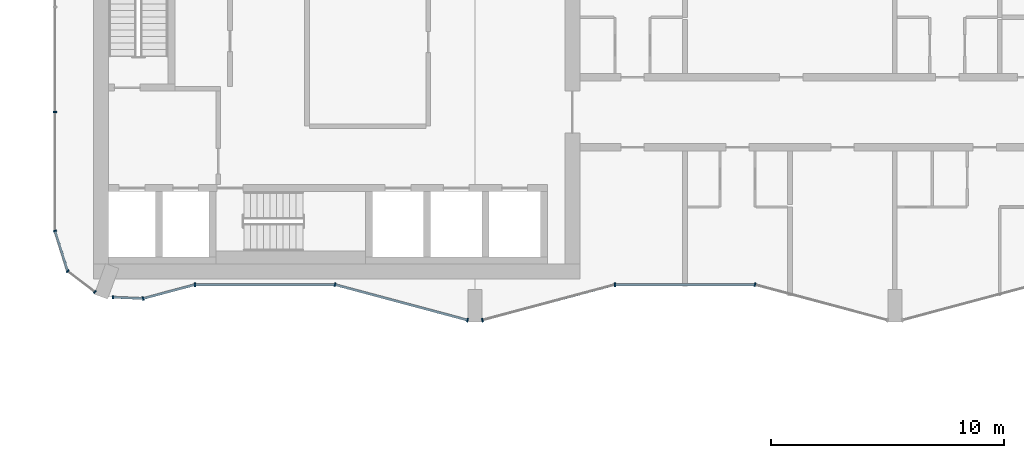
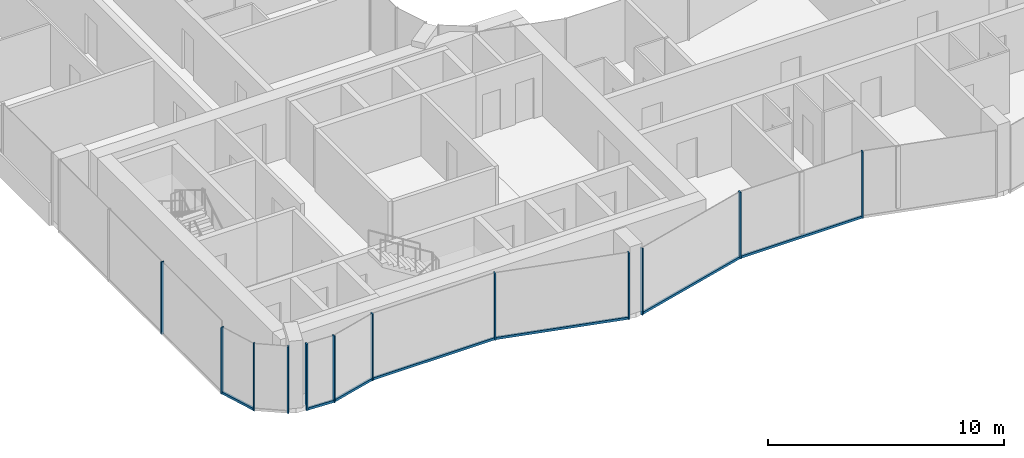
# One storey, part 2 of 19: 19 members, 10 elements without a shape of their own.
"""IFC4 building model written with IfcOpenShell, lengths in metres."""

from ifc_helpers import new_model, si_unit, direction, frame, origin, origin_2d, place, context, subcontext, project, spatial, rectangle, extrude, material, layer, layer_set, material_profile, profile_set, type_object, element, aggregate, save


model = new_model("IFC4")

# Units and contexts
model_context = context("Model", 3, precision=1e-05, world=origin(), true_north=direction((0.0, 1.0)))
body_context = subcontext(model_context, "Body", "Model", "MODEL_VIEW")
ifc_project = project(units=[si_unit("LENGTHUNIT", "METRE"), si_unit("AREAUNIT", "SQUARE_METRE"), si_unit("VOLUMEUNIT", "CUBIC_METRE"), si_unit("PLANEANGLEUNIT", "RADIAN"), si_unit("MASSUNIT", "GRAM", prefix="KILO")], contexts=[model_context])

# Site, building, storey
site_placement = place(None, origin())
site = spatial("IfcSite", under=ifc_project, at=site_placement, CompositionType="ELEMENT")
building_placement = place(site_placement, origin())
building = spatial("IfcBuilding", under=site, at=building_placement, Name="Plateau Cross Towers", CompositionType="ELEMENT")
storey_placement = place(building_placement, frame((0.0, 0.0, 120.300048828125)))
storey = spatial("IfcBuildingStorey", under=building, at=storey_placement, Name="L31", CompositionType="ELEMENT", Elevation=120.300048828125)

# Curtain wall, member
ifc_material_1 = material(Name="Dark low-iron glass", Category="glass")
ifc_layer_1 = layer(ifc_material_1, 0.239990234375)
ifc_layer_set_1 = layer_set([ifc_layer_1], Name="Dark low-iron glass")
curtain_wall_type_1 = type_object("IfcCurtainWallType", Name="Curtain wall flush unitised CW-B", PredefinedType="NOTDEFINED", material=ifc_layer_set_1)
curtain_wall_1_placement = place(storey_placement, origin())
curtain_wall_1 = element("IfcCurtainWall", 1, at=curtain_wall_1_placement, inside=storey, type_object=curtain_wall_type_1, Name="ENV/A/L31/A0_177", PredefinedType="NOTDEFINED")
ifc_material_2 = material(Name="Black anodised aluminium", Category="aluminium")
ifc_material_profile_1 = material_profile(ifc_material_2, rectangle(XDim=0.06005859375, YDim=0.139892578125, at=origin_2d()), Name="MULLION 60x140")
ifc_profile_set_1 = profile_set([ifc_material_profile_1], Name="Black anodised aluminium")
member_type_1 = type_object("IfcMemberType", Name="Mullion 60x140 flush unitised", PredefinedType="MULLION", material=ifc_profile_set_1)
member_1_placement = place(storey_placement, frame((0.0, 9.0, -0.25), z_axis=(0.0, 0.0, 1.0), x_axis=(0.0, -1.0, 0.0)))
member_1 = element("IfcMember", 2, at=member_1_placement, type_object=member_type_1, Name="CW-B mullion 3", PredefinedType="MULLION", context=body_context, shape_type="SweptSolid", body=[
    extrude(rectangle(XDim=0.06005859375, YDim=0.139892578125, at=origin_2d()), origin(), (0.0, 0.0, 1.0), 3.75),
])
aggregate(curtain_wall_1, [member_1])

curtain_wall_2_placement = place(storey_placement, origin())
curtain_wall_2 = element("IfcCurtainWall", 3, at=curtain_wall_2_placement, inside=storey, type_object=curtain_wall_type_1, Name="ENV/A/L31/A0_39", PredefinedType="NOTDEFINED")
member_2_placement = place(storey_placement, frame((0.0, 3.9091796875, -0.25), z_axis=(0.0, 0.0, 1.0), x_axis=(0.300686174994, -0.95372313811, 0.0)))
member_2 = element("IfcMember", 4, at=member_2_placement, type_object=member_type_1, Name="CW-B mullion 1", PredefinedType="MULLION", context=body_context, shape_type="SweptSolid", body=[
    extrude(rectangle(XDim=0.06005859375, YDim=0.139892578125, at=origin_2d()), origin(), (0.0, 0.0, 1.0), 3.449951171875),
])

# Curtain wall, members
curtain_wall_3_placement = place(storey_placement, origin())
curtain_wall_3 = element("IfcCurtainWall", 5, at=curtain_wall_3_placement, inside=storey, type_object=curtain_wall_type_1, Name="ENV/A/L31/A5_22", PredefinedType="NOTDEFINED")
member_3_placement = place(storey_placement, frame((0.54248046875, 2.1884765625, -0.25), z_axis=(0.0, 0.0, 1.0), x_axis=(0.793315514529, -0.608810721331, 0.0)))
member_3 = element("IfcMember", 6, at=member_3_placement, type_object=member_type_1, Name="CW-B mullion 1", PredefinedType="MULLION", context=body_context, shape_type="SweptSolid", body=[
    extrude(rectangle(XDim=0.06005859375, YDim=0.139892578125, at=origin_2d()), origin(), (0.0, 0.0, 1.0), 3.449951171875),
])
member_4_placement = place(storey_placement, frame((1.709716796875, 1.292724609375, -0.25), z_axis=(0.0, 0.0, 1.0), x_axis=(0.793315514529, -0.608810721331, 0.0)))
member_4 = element("IfcMember", 7, at=member_4_placement, type_object=member_type_1, Name="CW-B mullion 2", PredefinedType="MULLION", context=body_context, shape_type="SweptSolid", body=[
    extrude(rectangle(XDim=0.06005859375, YDim=0.139892578125, at=origin_2d()), origin(), (0.0, 0.0, 1.0), 3.449951171875),
])
aggregate(curtain_wall_3, [member_3, member_4])

# Curtain wall, member
curtain_wall_4_placement = place(storey_placement, origin())
curtain_wall_4 = element("IfcCurtainWall", 8, at=curtain_wall_4_placement, inside=storey, type_object=curtain_wall_type_1, Name="ENV/A/L31/A25_11", PredefinedType="NOTDEFINED")
member_5_placement = place(storey_placement, frame((2.483642578125, 1.06787109375, -0.25), z_axis=(0.0, 0.0, 1.0), x_axis=(0.999043701491, -0.043722791671, 0.0)))
member_5 = element("IfcMember", 9, at=member_5_placement, type_object=member_type_1, Name="CW-B mullion 1", PredefinedType="MULLION", context=body_context, shape_type="SweptSolid", body=[
    extrude(rectangle(XDim=0.06005859375, YDim=0.139892578125, at=origin_2d()), origin(), (0.0, 0.0, 1.0), 3.449951171875),
])

ifc_layer_2 = layer(ifc_material_1, 0.260009765625)
ifc_layer_set_2 = layer_set([ifc_layer_2], Name="Dark low-iron glass")
curtain_wall_type_2 = type_object("IfcCurtainWallType", Name="Curtain wall fluted unitised CW-A", PredefinedType="NOTDEFINED", material=ifc_layer_set_2)
curtain_wall_5_placement = place(storey_placement, origin())
curtain_wall_5 = element("IfcCurtainWall", 10, at=curtain_wall_5_placement, inside=storey, type_object=curtain_wall_type_2, Name="ENV/A/L31/A38_10", PredefinedType="NOTDEFINED")
ifc_material_profile_2 = material_profile(ifc_material_2, rectangle(XDim=0.06005859375, YDim=0.159912109375, at=origin_2d()), Name="MULLION 60x160")
ifc_profile_set_2 = profile_set([ifc_material_profile_2], Name="Black anodised aluminium")
member_type_2 = type_object("IfcMemberType", Name="Mullion 60x160 fluted unitised", PredefinedType="MULLION", material=ifc_profile_set_2)
member_6_placement = place(storey_placement, frame((3.776123046875, 1.01123046875, -0.25), z_axis=(0.0, 0.0, 1.0), x_axis=(0.965957962328, 0.258699081978, 0.0)))
member_6 = element("IfcMember", 11, at=member_6_placement, type_object=member_type_2, Name="CW-A mullion 1", PredefinedType="MULLION", context=body_context, shape_type="SweptSolid", body=[
    extrude(rectangle(XDim=0.06005859375, YDim=0.159912109375, at=origin_2d()), origin(), (0.0, 0.0, 1.0), 3.449951171875),
])

curtain_wall_6_placement = place(storey_placement, origin())
curtain_wall_6 = element("IfcCurtainWall", 12, at=curtain_wall_6_placement, inside=storey, type_object=curtain_wall_type_2, Name="ENV/A/L31/A60_16", PredefinedType="NOTDEFINED")
member_7_placement = place(storey_placement, frame((6.0, 1.60693359375, -0.25), z_axis=(0.0, 0.0, 1.0), x_axis=(1.0, 0.0, 0.0)))
member_7 = element("IfcMember", 13, at=member_7_placement, type_object=member_type_2, Name="CW-A mullion 1", PredefinedType="MULLION", context=body_context, shape_type="SweptSolid", body=[
    extrude(rectangle(XDim=0.06005859375, YDim=0.159912109375, at=origin_2d()), origin(), (0.0, 0.0, 1.0), 3.449951171875),
])

# Curtain wall, members
curtain_wall_7_placement = place(storey_placement, origin())
curtain_wall_7 = element("IfcCurtainWall", 14, at=curtain_wall_7_placement, inside=storey, type_object=curtain_wall_type_2, Name="ENV/A/L31/A120_16", PredefinedType="NOTDEFINED")
member_8_placement = place(storey_placement, frame((12.0, 1.60693359375, -0.25), z_axis=(0.0, 0.0, 1.0), x_axis=(0.965957983404, -0.258699003279, 0.0)))
member_8 = element("IfcMember", 15, at=member_8_placement, type_object=member_type_2, Name="CW-A mullion 1", PredefinedType="MULLION", context=body_context, shape_type="SweptSolid", body=[
    extrude(rectangle(XDim=0.06005859375, YDim=0.159912109375, at=origin_2d()), origin(), (0.0, 0.0, 1.0), 3.449951171875),
])
member_9_placement = place(storey_placement, frame((17.68212890625, 0.085205078125, -0.25), z_axis=(0.0, 0.0, 1.0), x_axis=(0.965957983404, -0.258699003279, 0.0)))
member_9 = element("IfcMember", 16, at=member_9_placement, type_object=member_type_2, Name="CW-A mullion 2", PredefinedType="MULLION", context=body_context, shape_type="SweptSolid", body=[
    extrude(rectangle(XDim=0.06005859375, YDim=0.159912109375, at=origin_2d()), origin(), (0.0, 0.0, 1.0), 3.449951171875),
])

# Curtain wall, member
curtain_wall_8_placement = place(storey_placement, origin())
curtain_wall_8 = element("IfcCurtainWall", 17, at=curtain_wall_8_placement, inside=storey, type_object=curtain_wall_type_2, Name="ENV/A/L31/A183_1", PredefinedType="NOTDEFINED")
member_10_placement = place(storey_placement, frame((18.31787109375, 0.085205078125, -0.25), z_axis=(0.0, 0.0, 1.0), x_axis=(0.965957983404, 0.258699003279, 0.0)))
member_10 = element("IfcMember", 18, at=member_10_placement, type_object=member_type_2, Name="CW-A mullion 1", PredefinedType="MULLION", context=body_context, shape_type="SweptSolid", body=[
    extrude(rectangle(XDim=0.06005859375, YDim=0.159912109375, at=origin_2d()), origin(), (0.0, 0.0, 1.0), 3.449951171875),
])

curtain_wall_9_placement = place(storey_placement, origin())
curtain_wall_9 = element("IfcCurtainWall", 19, at=curtain_wall_9_placement, inside=storey, type_object=curtain_wall_type_2, Name="ENV/A/L31/A240_16", PredefinedType="NOTDEFINED")
member_11_placement = place(storey_placement, frame((24.0, 1.60693359375, -0.25), z_axis=(0.0, 0.0, 1.0), x_axis=(1.0, 0.0, 0.0)))
member_11 = element("IfcMember", 20, at=member_11_placement, type_object=member_type_2, Name="CW-A mullion 1", PredefinedType="MULLION", context=body_context, shape_type="SweptSolid", body=[
    extrude(rectangle(XDim=0.06005859375, YDim=0.159912109375, at=origin_2d()), origin(), (0.0, 0.0, 1.0), 3.449951171875),
])

curtain_wall_10_placement = place(storey_placement, origin())
curtain_wall_10 = element("IfcCurtainWall", 21, at=curtain_wall_10_placement, inside=storey, type_object=curtain_wall_type_2, Name="ENV/A/L31/A300_16", PredefinedType="NOTDEFINED")
member_12_placement = place(storey_placement, frame((30.0, 1.60693359375, -0.25), z_axis=(0.0, 0.0, 1.0), x_axis=(0.965957983404, -0.258699003279, 0.0)))
member_12 = element("IfcMember", 22, at=member_12_placement, type_object=member_type_2, Name="CW-A mullion 1", PredefinedType="MULLION", context=body_context, shape_type="SweptSolid", body=[
    extrude(rectangle(XDim=0.06005859375, YDim=0.159912109375, at=origin_2d()), origin(), (0.0, 0.0, 1.0), 3.449951171875),
])
aggregate(curtain_wall_10, [member_12])

# Member
ifc_material_profile_3 = material_profile(ifc_material_2, rectangle(XDim=0.10009765625, YDim=0.1201171875, at=origin_2d()), Name="TRANSOM 100x120")
ifc_profile_set_3 = profile_set([ifc_material_profile_3], Name="Black anodised aluminium")
member_type_3 = type_object("IfcMemberType", Name="Transom 100x120 flush unitised", PredefinedType="USERDEFINED", material=ifc_profile_set_3)
member_13_placement = place(storey_placement, frame((0.0, 3.9091796875, -0.18994140625), z_axis=(0.30067799945, -0.953725715626, 0.0), x_axis=(0.953725715626, 0.30067799945, 0.0)))
member_13 = element("IfcMember", 23, at=member_13_placement, type_object=member_type_3, Name="CW-B transom", ObjectType="TRANSOM", PredefinedType="USERDEFINED", context=body_context, shape_type="SweptSolid", body=[
    extrude(rectangle(XDim=0.10009765625, YDim=0.1201171875, at=origin_2d()), origin(), (0.0, 0.0, 1.0), 1.80419921875),
])

aggregate(curtain_wall_2, [member_2, member_13])

member_14_placement = place(storey_placement, frame((2.483642578125, 1.06787109375, -0.18994140625), z_axis=(0.999041144614, -0.043781175963, 0.0), x_axis=(0.043781175963, 0.999041144614, 0.0)))
member_14 = element("IfcMember", 24, at=member_14_placement, type_object=member_type_3, Name="CW-B transom", ObjectType="TRANSOM", PredefinedType="USERDEFINED", context=body_context, shape_type="SweptSolid", body=[
    extrude(rectangle(XDim=0.10009765625, YDim=0.1201171875, at=origin_2d()), origin(), (0.0, 0.0, 1.0), 1.293701171875),
])

aggregate(curtain_wall_4, [member_5, member_14])

ifc_material_profile_4 = material_profile(ifc_material_2, rectangle(XDim=0.10009765625, YDim=0.1201171875, at=origin_2d()), Name="TRANSOM 100x120")
ifc_profile_set_4 = profile_set([ifc_material_profile_4], Name="Black anodised aluminium")
member_type_4 = type_object("IfcMemberType", Name="Transom 100x120 fluted unitised", PredefinedType="USERDEFINED", material=ifc_profile_set_4)
member_15_placement = place(storey_placement, frame((3.776123046875, 1.01123046875, -0.18994140625), z_axis=(0.965945685136, 0.258744919501, 0.0), x_axis=(-0.258744919501, 0.965945685136, 0.0)))
member_15 = element("IfcMember", 25, at=member_15_placement, type_object=member_type_4, Name="CW-A transom", ObjectType="TRANSOM", PredefinedType="USERDEFINED", context=body_context, shape_type="SweptSolid", body=[
    extrude(rectangle(XDim=0.10009765625, YDim=0.1201171875, at=origin_2d()), origin(), (0.0, 0.0, 1.0), 2.30224609375),
])

aggregate(curtain_wall_5, [member_6, member_15])

member_16_placement = place(storey_placement, frame((6.0, 1.60693359375, -0.18994140625), z_axis=(1.0, 0.0, 0.0), x_axis=(0.0, 1.0, 0.0)))
member_16 = element("IfcMember", 26, at=member_16_placement, type_object=member_type_4, Name="CW-A transom", ObjectType="TRANSOM", PredefinedType="USERDEFINED", context=body_context, shape_type="SweptSolid", body=[
    extrude(rectangle(XDim=0.10009765625, YDim=0.1201171875, at=origin_2d()), origin(), (0.0, 0.0, 1.0), 6.0),
])

aggregate(curtain_wall_6, [member_7, member_16])

member_17_placement = place(storey_placement, frame((12.0, 1.60693359375, -0.18994140625), z_axis=(0.965959534794, -0.258693210465, 0.0), x_axis=(0.258693210465, 0.965959534794, 0.0)))
member_17 = element("IfcMember", 27, at=member_17_placement, type_object=member_type_4, Name="CW-A transom", ObjectType="TRANSOM", PredefinedType="USERDEFINED", context=body_context, shape_type="SweptSolid", body=[
    extrude(rectangle(XDim=0.10009765625, YDim=0.1201171875, at=origin_2d()), origin(), (0.0, 0.0, 1.0), 5.88232421875),
])

aggregate(curtain_wall_7, [member_8, member_9, member_17])

member_18_placement = place(storey_placement, frame((18.31787109375, 0.085205078125, -0.18994140625), z_axis=(0.965959534794, 0.258693210465, 0.0), x_axis=(-0.258693210465, 0.965959534794, 0.0)))
member_18 = element("IfcMember", 28, at=member_18_placement, type_object=member_type_4, Name="CW-A transom", ObjectType="TRANSOM", PredefinedType="USERDEFINED", context=body_context, shape_type="SweptSolid", body=[
    extrude(rectangle(XDim=0.10009765625, YDim=0.1201171875, at=origin_2d()), origin(), (0.0, 0.0, 1.0), 5.88232421875),
])

aggregate(curtain_wall_8, [member_10, member_18])

member_19_placement = place(storey_placement, frame((24.0, 1.60693359375, -0.18994140625), z_axis=(1.0, 0.0, 0.0), x_axis=(0.0, 1.0, 0.0)))
member_19 = element("IfcMember", 29, at=member_19_placement, type_object=member_type_4, Name="CW-A transom", ObjectType="TRANSOM", PredefinedType="USERDEFINED", context=body_context, shape_type="SweptSolid", body=[
    extrude(rectangle(XDim=0.10009765625, YDim=0.1201171875, at=origin_2d()), origin(), (0.0, 0.0, 1.0), 6.0),
])

aggregate(curtain_wall_9, [member_11, member_19])

save(model, "model.ifc")
